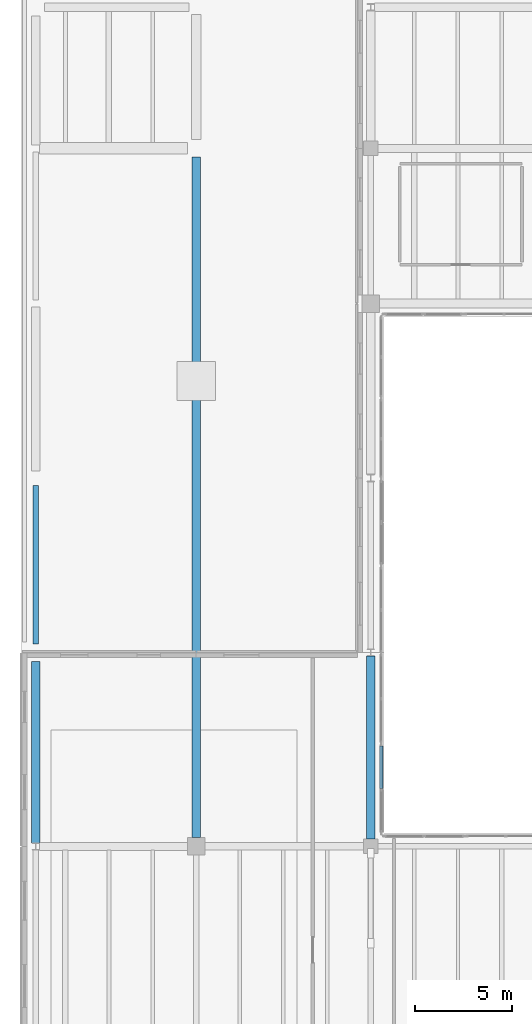
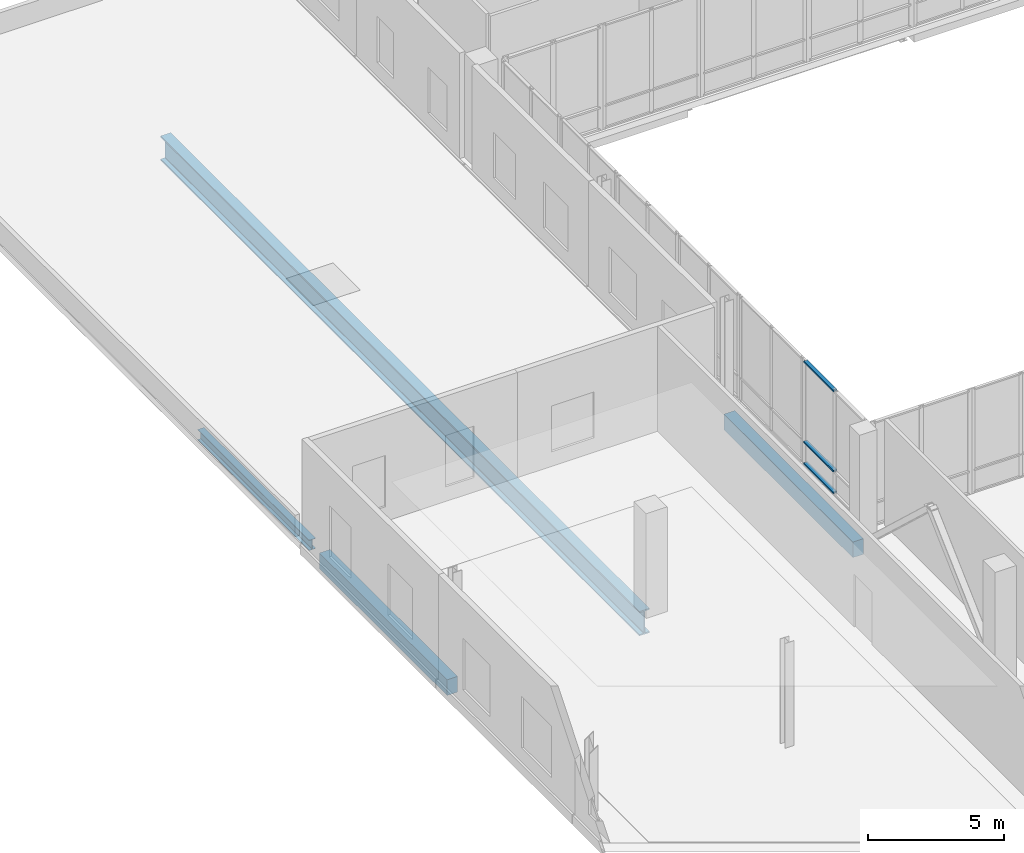
# One storey, part 23 of 60: 4 beams, 3 members, 1 element without a shape of its own.
"""IFC4 building model written with IfcOpenShell, lengths in metres."""

from ifc_helpers import new_model, si_unit, direction, frame, origin, origin_2d, place, context, subcontext, project, spatial, rectangle, i_section, extrude, material, material_profile, profile_set, type_object, element, aggregate, save


model = new_model("IFC4")

# Units and contexts
model_context = context("Model", 3, precision=1e-05, world=origin(), true_north=direction((0.0, 1.0)))
body_context = subcontext(model_context, "Body", "Model", "MODEL_VIEW")
ifc_project = project(units=[si_unit("LENGTHUNIT", "METRE"), si_unit("AREAUNIT", "SQUARE_METRE"), si_unit("VOLUMEUNIT", "CUBIC_METRE"), si_unit("PLANEANGLEUNIT", "RADIAN"), si_unit("MASSUNIT", "GRAM", prefix="KILO")], contexts=[model_context])

# Site, building, storey
site_placement = place(None, origin())
site = spatial("IfcSite", under=ifc_project, at=site_placement, CompositionType="ELEMENT")
building_placement = place(site_placement, origin())
building = spatial("IfcBuilding", under=site, at=building_placement, Name="Trimount Lyric Opera House", CompositionType="ELEMENT")
storey_placement = place(building_placement, frame((0.0, 0.0, 15.0)))
storey = spatial("IfcBuildingStorey", under=building, at=storey_placement, Name="L03", CompositionType="ELEMENT", Elevation=15.0)

# Beams
ifc_material_1 = material(Name="Steel ASTM A992 Grade 50", Category="steel")
ifc_material_profile_1 = material_profile(ifc_material_1, i_section(OverallWidth=0.281982421875, OverallDepth=0.467041015625, WebThickness=0.01220703125, FlangeThickness=0.01953125, FilletRadius=0.012939453125, at=origin_2d()), Name="W18X86")
ifc_profile_set_1 = profile_set([ifc_material_profile_1], Name="Steel ASTM A992 Grade 50")
beam_type_1 = type_object("IfcBeamType", Name="SP-01", PredefinedType="SPANDREL", material=ifc_profile_set_1)
beam_1_placement = place(storey_placement, frame((0.719970703125, 84.449951171875, -0.5234375), z_axis=(0.0, 1.0, 0.0), x_axis=(-1.0, 0.0, 0.0)))
element("IfcBeam", 1, at=beam_1_placement, inside=storey, type_object=beam_type_1, Name="L03 girder Y-1032", PredefinedType="SPANDREL", context=body_context, shape_type="SweptSolid", body=[
    extrude(i_section(OverallWidth=0.281982421875, OverallDepth=0.467041015625, WebThickness=0.01220703125, FlangeThickness=0.01953125, FilletRadius=0.012939453125, at=origin_2d()), origin(), (0.0, 0.0, 1.0), 8.175048828125),
])
ifc_material_2 = material(Name="Concrete C40/50", Category="concrete")
ifc_material_profile_2 = material_profile(ifc_material_2, rectangle(XDim=0.449951171875, YDim=0.699951171875, at=origin_2d()), Name="RC450X700")
ifc_profile_set_2 = profile_set([ifc_material_profile_2], Name="Concrete C40/50")
beam_type_2 = type_object("IfcBeamType", Name="SP-02", PredefinedType="SPANDREL", material=ifc_profile_set_2)
beam_2_placement = place(storey_placement, frame((0.719970703125, 74.18408203125, -0.6298828125), z_axis=(0.0, 1.0, 0.0), x_axis=(-1.0, 0.0, 0.0)))
element("IfcBeam", 2, at=beam_2_placement, inside=storey, type_object=beam_type_2, Name="L03 girder Y-1031", PredefinedType="SPANDREL", context=body_context, shape_type="SweptSolid", body=[
    extrude(rectangle(XDim=0.449951171875, YDim=0.699951171875, at=origin_2d()), origin(), (0.0, 0.0, 1.0), 9.365966796875),
])
beam_3_placement = place(storey_placement, frame((18.0, 74.375, -0.6298828125), z_axis=(0.0, 1.0, 0.0), x_axis=(-1.0, 0.0, 0.0)))
element("IfcBeam", 3, at=beam_3_placement, inside=storey, type_object=beam_type_2, Name="L03 girder Y-1041", PredefinedType="SPANDREL", context=body_context, shape_type="SweptSolid", body=[
    extrude(rectangle(XDim=0.449951171875, YDim=0.699951171875, at=origin_2d()), origin(), (0.0, 0.0, 1.0), 9.447021484375),
])
ifc_material_3 = material(Name="Steel ASTM A992 Grade 50", Category="steel")
ifc_material_profile_3 = material_profile(ifc_material_3, i_section(OverallWidth=0.427001953125, OverallDepth=1.092041015625, WebThickness=0.031005859375, FlangeThickness=0.055908203125, FilletRadius=0.02490234375, at=origin_2d()), Name="W40X397")
ifc_profile_set_3 = profile_set([ifc_material_profile_3], Name="Steel ASTM A992 Grade 50")
beam_type_3 = type_object("IfcBeamType", Name="TG-02", PredefinedType="USERDEFINED", material=ifc_profile_set_3)
beam_4_placement = place(storey_placement, frame((9.0, 74.449951171875, -0.8359375), z_axis=(0.0, 1.0, 0.0), x_axis=(-1.0, 0.0, 0.0)))
element("IfcBeam", 4, at=beam_4_placement, inside=storey, type_object=beam_type_3, Name="L03 girder Y-1037", ObjectType="TRANSFER_GIRDER", PredefinedType="USERDEFINED", context=body_context, shape_type="SweptSolid", body=[
    extrude(i_section(OverallWidth=0.427001953125, OverallDepth=1.092041015625, WebThickness=0.031005859375, FlangeThickness=0.055908203125, FilletRadius=0.02490234375, at=origin_2d()), origin(), (0.0, 0.0, 1.0), 35.10009765625),
])

# Curtain wall, members
ifc_material_4 = material(Name="Thermally Broken Aluminium and Low-E Glass", Category="aluminium")
curtain_wall_type = type_object("IfcCurtainWallType", Name="CW-03", PredefinedType="NOTDEFINED", material=ifc_material_4)
curtain_wall_placement = place(storey_placement, origin())
curtain_wall = element("IfcCurtainWall", 5, at=curtain_wall_placement, inside=storey, type_object=curtain_wall_type, Name="L03 curtain wall 294", PredefinedType="NOTDEFINED")
ifc_material_5 = material(Name="Anodised Aluminium 6063-T6", Category="aluminium")
ifc_material_profile_4 = material_profile(ifc_material_5, rectangle(XDim=0.159912109375, YDim=0.070068359375, at=origin_2d()), Name="ALU-TRAN-70X160")
ifc_profile_set_4 = profile_set([ifc_material_profile_4], Name="Anodised Aluminium 6063-T6")
member_type = type_object("IfcMemberType", Name="TR-01", PredefinedType="USERDEFINED", material=ifc_profile_set_4)
member_1_placement = place(storey_placement, frame((18.5400390625, 79.179931640625, 0.080078125), z_axis=(0.0, -1.0, 0.0), x_axis=(1.0, 0.0, 0.0)))
member_1 = element("IfcMember", 6, at=member_1_placement, type_object=member_type, Name="CW-03 transom 1.1", ObjectType="TRANSOM", PredefinedType="USERDEFINED", context=body_context, shape_type="SweptSolid", body=[
    extrude(rectangle(XDim=0.159912109375, YDim=0.070068359375, at=origin_2d()), origin(), (0.0, 0.0, 1.0), 2.179931640625),
])
member_2_placement = place(storey_placement, frame((18.5400390625, 79.179931640625, 1.050048828125), z_axis=(0.0, -1.0, 0.0), x_axis=(1.0, 0.0, 0.0)))
member_2 = element("IfcMember", 7, at=member_2_placement, type_object=member_type, Name="CW-03 transom 1.2", ObjectType="TRANSOM", PredefinedType="USERDEFINED", context=body_context, shape_type="SweptSolid", body=[
    extrude(rectangle(XDim=0.159912109375, YDim=0.070068359375, at=origin_2d()), origin(), (0.0, 0.0, 1.0), 2.179931640625),
])
member_3_placement = place(storey_placement, frame((18.5400390625, 79.179931640625, 4.639892578125), z_axis=(0.0, -1.0, 0.0), x_axis=(1.0, 0.0, 0.0)))
member_3 = element("IfcMember", 8, at=member_3_placement, type_object=member_type, Name="CW-03 transom 1.3", ObjectType="TRANSOM", PredefinedType="USERDEFINED", context=body_context, shape_type="SweptSolid", body=[
    extrude(rectangle(XDim=0.159912109375, YDim=0.070068359375, at=origin_2d()), origin(), (0.0, 0.0, 1.0), 2.179931640625),
])
aggregate(curtain_wall, [member_1, member_2, member_3])

save(model, "model.ifc")
